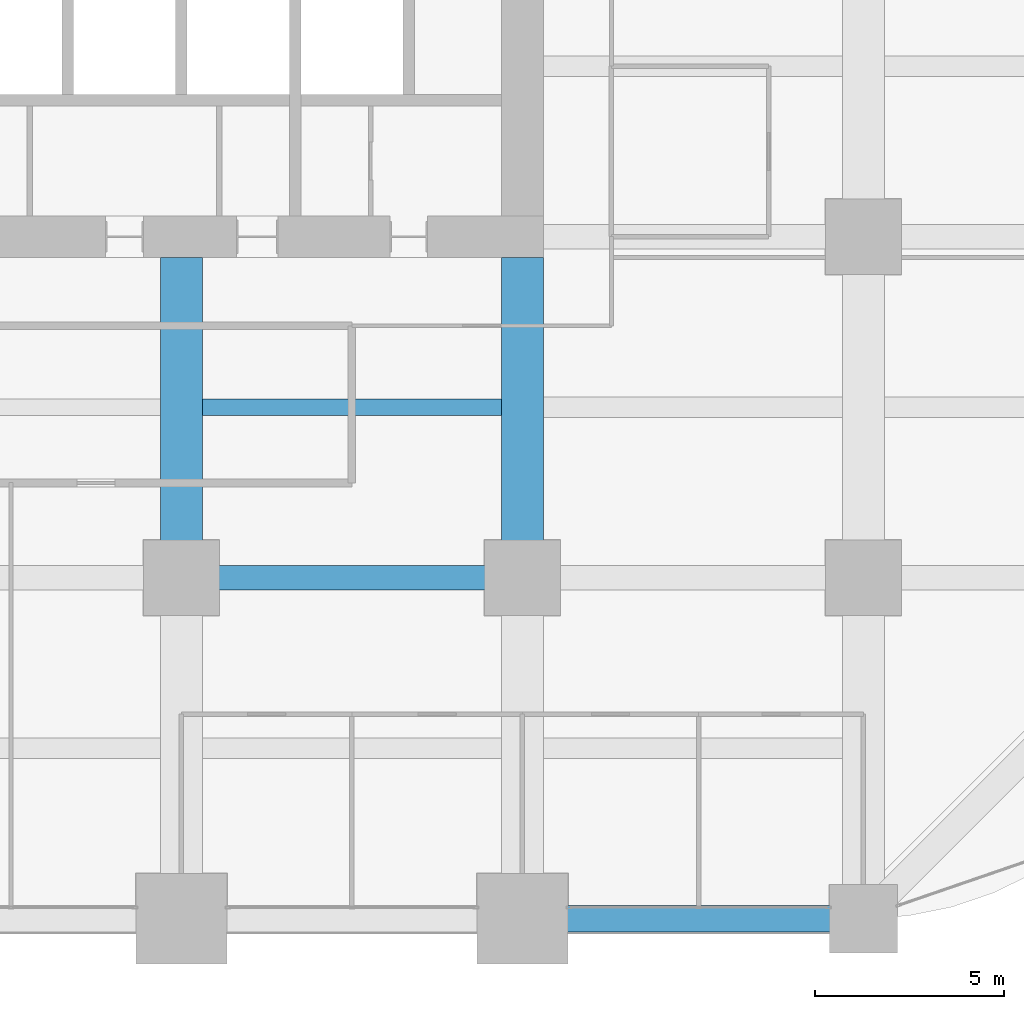
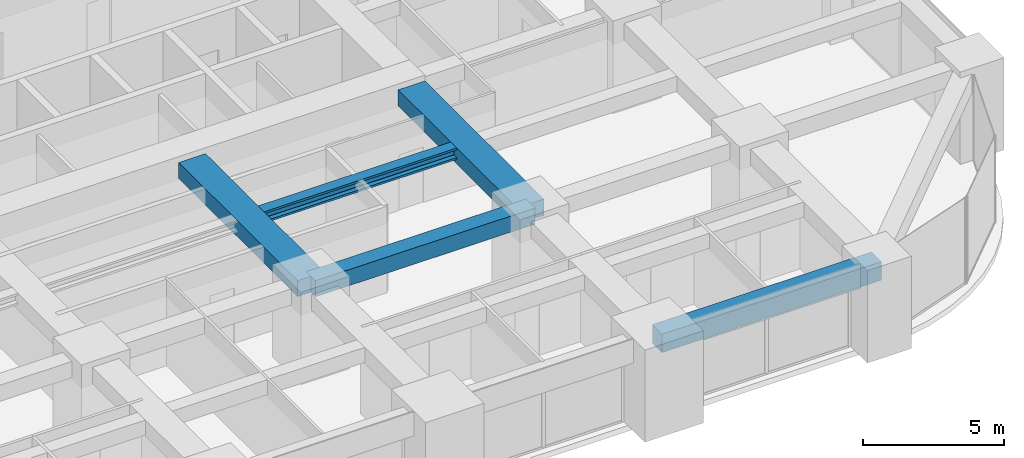
# One storey, part 15 of 41: 5 beams.
"""IFC4 building model written with IfcOpenShell, lengths in metres."""

import ifcopenshell
import ifcopenshell.guid

model = None  # the IFC model being written
_history = None  # IfcOwnerHistory: only IFC2X3 demands one
_inside = {}  # id of a spatial element -> (the spatial element, [elements in it])
_under = {}  # id of a project, library or spatial element -> (it, [spatial elements below it])
_declared = {}  # id of a project -> (the project, [libraries it declares])
_typed = {}  # id of a type object -> (the type object, [elements of that type])
_made_of = {}  # id of a material, layer set ... -> (it, [elements and type objects made of it])


def new_model(schema):
    """Start an empty IFC model of exactly this schema.

    Asked for "IFC4X3", IfcOpenShell would pick the latest addendum, in which some entities
    have other attributes; the version numbers below select the first issue.
    IFC2X3 requires an IfcOwnerHistory on every rooted entity: one is made here for all.
    """
    global model, _history
    if schema == "IFC4X3":
        model = ifcopenshell.file(schema_version=(4, 3, 0, 0))
    else:
        model = ifcopenshell.file(schema=schema)
    _inside.clear()
    _under.clear()
    _declared.clear()
    _typed.clear()
    _made_of.clear()
    _history = None
    if model.schema == "IFC2X3":
        org = make("IfcOrganization", Name="unknown")
        user = make(
            "IfcPersonAndOrganization",
            ThePerson=make("IfcPerson", FamilyName="unknown"),
            TheOrganization=org,
        )
        app = make(
            "IfcApplication",
            ApplicationDeveloper=org,
            Version="unknown",
            ApplicationFullName="unknown",
            ApplicationIdentifier="unknown",
        )
        _history = make(
            "IfcOwnerHistory",
            OwningUser=user,
            OwningApplication=app,
            ChangeAction="ADDED",
            CreationDate=0,
        )
    return model


def make(cls, **values):
    """One entity of the class cls with the attributes given. An attribute that is None is left unset."""
    return model.create_entity(
        cls, **{name: value for name, value in values.items() if value is not None}
    )


def rooted(cls, **values):
    """An entity with a GlobalId (a new one), such as an element, a storey or a relation."""
    return make(cls, GlobalId=ifcopenshell.guid.new(), OwnerHistory=_history, **values)


def si_unit(unit_type, name, prefix=None):
    """IfcSIUnit, for example si_unit("LENGTHUNIT", "METRE", prefix="MILLI")."""
    return make("IfcSIUnit", UnitType=unit_type, Prefix=prefix, Name=name)


def assignment(units):
    """IfcUnitAssignment: the units of a project."""
    return None if units is None else make("IfcUnitAssignment", Units=units)


def point(xyz):
    """IfcCartesianPoint."""
    return None if xyz is None else make("IfcCartesianPoint", Coordinates=xyz)


def direction(xyz):
    """IfcDirection."""
    return None if xyz is None else make("IfcDirection", DirectionRatios=xyz)


def frame(location, z_axis=None, x_axis=None):
    """IfcAxis2Placement3D, a coordinate frame: its origin and axes. An axis left out is left unset."""
    return make(
        "IfcAxis2Placement3D",
        Location=point(location),
        Axis=direction(z_axis),
        RefDirection=direction(x_axis),
    )


def frame_2d(location, x_axis=None):
    """IfcAxis2Placement2D, a coordinate frame in the plane: its origin and x axis."""
    return make(
        "IfcAxis2Placement2D", Location=point(location), RefDirection=direction(x_axis)
    )


def origin():
    """The frame at (0, 0, 0) with its axes left unset."""
    return frame((0.0, 0.0, 0.0))


def origin_2d():
    """The frame at (0, 0) in the plane with its x axis left unset."""
    return frame_2d((0.0, 0.0))


def place(relative_to, where):
    """IfcLocalPlacement: puts the frame where relative to a parent placement (None: the world)."""
    return make(
        "IfcLocalPlacement", PlacementRelTo=relative_to, RelativePlacement=where
    )


def context(
    kind, dimensions, precision=None, world=None, true_north=None, identifier=None
):
    """IfcGeometricRepresentationContext, for example the 3D "Model" context."""
    return make(
        "IfcGeometricRepresentationContext",
        ContextIdentifier=identifier,
        ContextType=kind,
        CoordinateSpaceDimension=dimensions,
        Precision=precision,
        WorldCoordinateSystem=world,
        TrueNorth=true_north,
    )


def subcontext(parent, identifier, kind, view, scale=None):
    """IfcGeometricRepresentationSubContext, for example "Body" below "Model"."""
    return make(
        "IfcGeometricRepresentationSubContext",
        ContextIdentifier=identifier,
        ContextType=kind,
        ParentContext=parent,
        TargetScale=scale,
        TargetView=view,
    )


def project(units=None, contexts=None):
    """IfcProject with its units and contexts."""
    return rooted(
        "IfcProject",
        Name="project",
        RepresentationContexts=contexts,
        UnitsInContext=assignment(units),
    )


def spatial(cls, under=None, at=None, **own):
    """A site, building, storey or space (cls), placed at a placement, below another one or the project."""
    s = rooted(cls, ObjectPlacement=at, **own)
    if under is not None:
        _under.setdefault(under.id(), (under, []))[1].append(s)
    return s


def profile(cls, at=None, kind="AREA", **sizes):
    """A parametric profile (cls). Its sizes go by their IFC names, for example OverallWidth=200.0."""
    return make(cls, ProfileType=kind, Position=at, **sizes)


def rectangle(**sizes):
    """IfcRectangleProfileDef."""
    return profile("IfcRectangleProfileDef", **sizes)


def i_section(**sizes):
    """IfcIShapeProfileDef."""
    return profile("IfcIShapeProfileDef", **sizes)


def extrude(swept, where, along, depth):
    """IfcExtrudedAreaSolid: the profile swept, set in the frame where, extruded along a direction by depth."""
    return make(
        "IfcExtrudedAreaSolid",
        SweptArea=swept,
        Position=where,
        ExtrudedDirection=direction(along),
        Depth=depth,
    )


def shape(context_of_items, identifier, shape_type, items):
    """IfcShapeRepresentation: the items that make up one representation, for example the "Body"."""
    return make(
        "IfcShapeRepresentation",
        ContextOfItems=context_of_items,
        RepresentationIdentifier=identifier,
        RepresentationType=shape_type,
        Items=items,
    )


def material(Name=None, Category=None):
    """IfcMaterial."""
    return make("IfcMaterial", Name=Name, Category=Category)


def material_profile(
    of_material, cross_section, Name=None, Category=None, Priority=None
):
    """IfcMaterialProfile: a cross section and its material."""
    return make(
        "IfcMaterialProfile",
        Name=Name,
        Material=of_material,
        Profile=cross_section,
        Priority=Priority,
        Category=Category,
    )


def profile_set(profiles, Name=None, composite=None):
    """IfcMaterialProfileSet."""
    return make(
        "IfcMaterialProfileSet",
        Name=Name,
        MaterialProfiles=profiles,
        CompositeProfile=composite,
    )


def made_of(thing, what):
    """Note that an element or type object is made of a material, layer set ...; save() writes the relation."""
    if what is not None:
        _made_of.setdefault(what.id(), (what, []))[1].append(thing)
    return thing


def type_object(cls, material=None, **own):
    """A type object (cls), such as IfcWallType, which elements share."""
    return made_of(rooted(cls, **own), material)


def element(
    cls,
    number,
    at=None,
    inside=None,
    cuts=None,
    type_object=None,
    material=None,
    context=None,
    identifier="Body",
    shape_type=None,
    held_by="IfcProductDefinitionShape",
    body=None,
    shapes=None,
    **own,
):
    """One element of the class cls, such as IfcWall. Its Tag is "e" and its number.

    at: its placement. inside: the storey or other place that contains it. cuts: it is an
    opening in that element (IfcRelVoidsElement). A single representation is given by context,
    identifier, shape_type and body (its items); several are given by shapes. held_by: the class
    of the entity that holds the representations. save() writes the other relations.
    """
    e = rooted(cls, Tag="e%d" % number, ObjectPlacement=at, **own)
    if body is not None:
        shapes = [shape(context, identifier, shape_type, body)]
    if shapes is not None:
        e.Representation = make(held_by, Representations=shapes)
    if inside is not None:
        _inside.setdefault(inside.id(), (inside, []))[1].append(e)
    if cuts is not None:
        rooted(
            "IfcRelVoidsElement", RelatingBuildingElement=cuts, RelatedOpeningElement=e
        )
    if type_object is not None:
        _typed.setdefault(type_object.id(), (type_object, []))[1].append(e)
    return made_of(e, material)


def aggregate(whole, parts):
    """IfcRelAggregates: a whole, such as a stair, and the parts it consists of."""
    return rooted("IfcRelAggregates", RelatingObject=whole, RelatedObjects=parts)


def save(model, path):
    """Write the relations noted so far, then the file.

    IfcRelAggregates (storeys below a building ...), IfcRelContainedInSpatialStructure (elements
    in a storey), IfcRelDefinesByType, IfcRelAssociatesMaterial and IfcRelDeclares: one each for
    every whole, place, type object, material and project.
    """
    for whole, parts in _under.values():
        aggregate(whole, parts)
    for where, things in _inside.values():
        rooted(
            "IfcRelContainedInSpatialStructure",
            RelatedElements=things,
            RelatingStructure=where,
        )
    for kind, things in _typed.values():
        rooted("IfcRelDefinesByType", RelatedObjects=things, RelatingType=kind)
    for what, things in _made_of.values():
        rooted("IfcRelAssociatesMaterial", RelatedObjects=things, RelatingMaterial=what)
    for by, libraries in _declared.values():
        rooted("IfcRelDeclares", RelatingContext=by, RelatedDefinitions=libraries)
    model.write(path)


model = new_model("IFC4")

# Units and contexts
model_context = context("Model", 3, precision=1e-05, world=origin(), true_north=direction((0.0, 1.0)))
body_context = subcontext(model_context, "Body", "Model", "MODEL_VIEW")
ifc_project = project(units=[si_unit("LENGTHUNIT", "METRE"), si_unit("AREAUNIT", "SQUARE_METRE"), si_unit("VOLUMEUNIT", "CUBIC_METRE"), si_unit("PLANEANGLEUNIT", "RADIAN"), si_unit("MASSUNIT", "GRAM", prefix="KILO")], contexts=[model_context])

# Site, building, storey
site_placement = place(None, origin())
site = spatial("IfcSite", under=ifc_project, at=site_placement, CompositionType="ELEMENT")
building_placement = place(site_placement, origin())
building = spatial("IfcBuilding", under=site, at=building_placement, Name="Zorevar Civic Tower", CompositionType="ELEMENT")
storey_placement = place(building_placement, frame((0.0, 0.0, 105.0)))
storey = spatial("IfcBuildingStorey", under=building, at=storey_placement, Name="L25", CompositionType="ELEMENT", Elevation=105.0)

# Beams
ifc_material_1 = material(Name="Concrete C50/60", Category="concrete")
ifc_material_profile_1 = material_profile(ifc_material_1, rectangle(XDim=1.10009765625, YDim=0.699951171875, at=origin_2d()), Name="RC 1100x700")
ifc_profile_set_1 = profile_set([ifc_material_profile_1], Name="Concrete C50/60")
beam_type_1 = type_object("IfcBeamType", Name="Beam RC 1100x700", PredefinedType="BEAM", material=ifc_profile_set_1)
for number, where, z_axis, x_axis, name in (
    (1, (36.0, 9.0, 3.39990234375), (0.0, 1.0, 0.0), (-1.0, 0.0, 0.0), "Girder L26"),
    (2, (45.0, 9.0, 3.39990234375), (0.0, 1.0, 0.0), (-1.0, 0.0, 0.0), "Girder L26"),
):
    element("IfcBeam", number, at=place(storey_placement, frame(where, z_axis=z_axis, x_axis=x_axis)), inside=storey, type_object=beam_type_1, Name=name, PredefinedType="BEAM", context=body_context, shape_type="SweptSolid", body=[
        extrude(rectangle(XDim=1.10009765625, YDim=0.699951171875, at=origin_2d()), origin(), (0.0, 0.0, 1.0), 8.449951171875),
    ])
ifc_material_2 = material(Name="Concrete C50/60", Category="concrete")
ifc_material_profile_2 = material_profile(ifc_material_2, rectangle(XDim=0.64990234375, YDim=0.699951171875, at=origin_2d()), Name="RC 650x700")
ifc_profile_set_2 = profile_set([ifc_material_profile_2], Name="Concrete C50/60")
beam_type_2 = type_object("IfcBeamType", Name="Beam RC 650x700", PredefinedType="BEAM", material=ifc_profile_set_2)
beam_1_placement = place(storey_placement, frame((36.0, 9.0, 3.39990234375), z_axis=(1.0, 0.0, 0.0), x_axis=(0.0, 1.0, 0.0)))
element("IfcBeam", 3, at=beam_1_placement, inside=storey, type_object=beam_type_2, Name="Girder L26", PredefinedType="BEAM", context=body_context, shape_type="SweptSolid", body=[
    extrude(rectangle(XDim=0.64990234375, YDim=0.699951171875, at=origin_2d()), origin(), (0.0, 0.0, 1.0), 9.0),
])
ifc_material_3 = material(Name="Steel S460M (HISTAR 460)", Category="steel")
ifc_material_profile_3 = material_profile(ifc_material_3, i_section(OverallWidth=0.431884765625, OverallDepth=0.498046875, WebThickness=0.0556640625, FlangeThickness=0.0888671875, FilletRadius=0.014892578125, at=origin_2d()), Name="HD 400x744")
ifc_profile_set_3 = profile_set([ifc_material_profile_3], Name="Steel S460M (HISTAR 460)")
beam_type_3 = type_object("IfcBeamType", Name="Core bay beam HD 400x744", PredefinedType="BEAM", material=ifc_profile_set_3)
beam_2_placement = place(storey_placement, frame((36.550048828125, 13.5, 3.5009765625), z_axis=(1.0, 0.0, 0.0), x_axis=(0.0, 1.0, 0.0)))
element("IfcBeam", 4, at=beam_2_placement, inside=storey, type_object=beam_type_3, Name="Secondary beam L26", PredefinedType="BEAM", context=body_context, shape_type="SweptSolid", body=[
    extrude(i_section(OverallWidth=0.431884765625, OverallDepth=0.498046875, WebThickness=0.0556640625, FlangeThickness=0.0888671875, FilletRadius=0.014892578125, at=origin_2d()), origin(), (0.0, 0.0, 1.0), 7.89990234375),
])
ifc_material_4 = material(Name="Concrete C50/60", Category="concrete")
ifc_material_profile_4 = material_profile(ifc_material_4, rectangle(XDim=0.699951171875, YDim=0.800048828125, at=origin_2d()), Name="RC 700x800")
ifc_profile_set_4 = profile_set([ifc_material_profile_4], Name="Concrete C50/60")
beam_type_4 = type_object("IfcBeamType", Name="Edge beam RC 700x800", PredefinedType="SPANDREL", material=ifc_profile_set_4)
beam_3_placement = place(storey_placement, frame((45.0, 0.0, 3.35009765625), z_axis=(1.0, 0.0, 0.0), x_axis=(0.0, 1.0, 0.0)))
element("IfcBeam", 5, at=beam_3_placement, inside=storey, type_object=beam_type_4, Name="Edge beam L26", PredefinedType="SPANDREL", context=body_context, shape_type="SweptSolid", body=[
    extrude(rectangle(XDim=0.699951171875, YDim=0.800048828125, at=origin_2d()), origin(), (0.0, 0.0, 1.0), 9.0),
])

save(model, "model.ifc")
